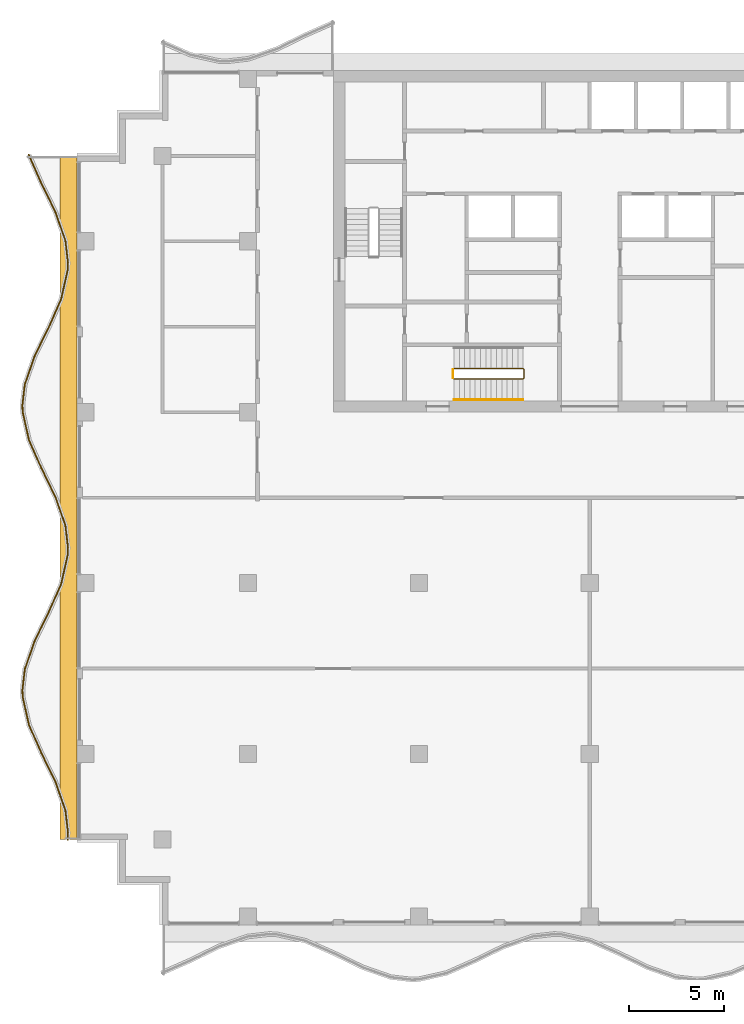
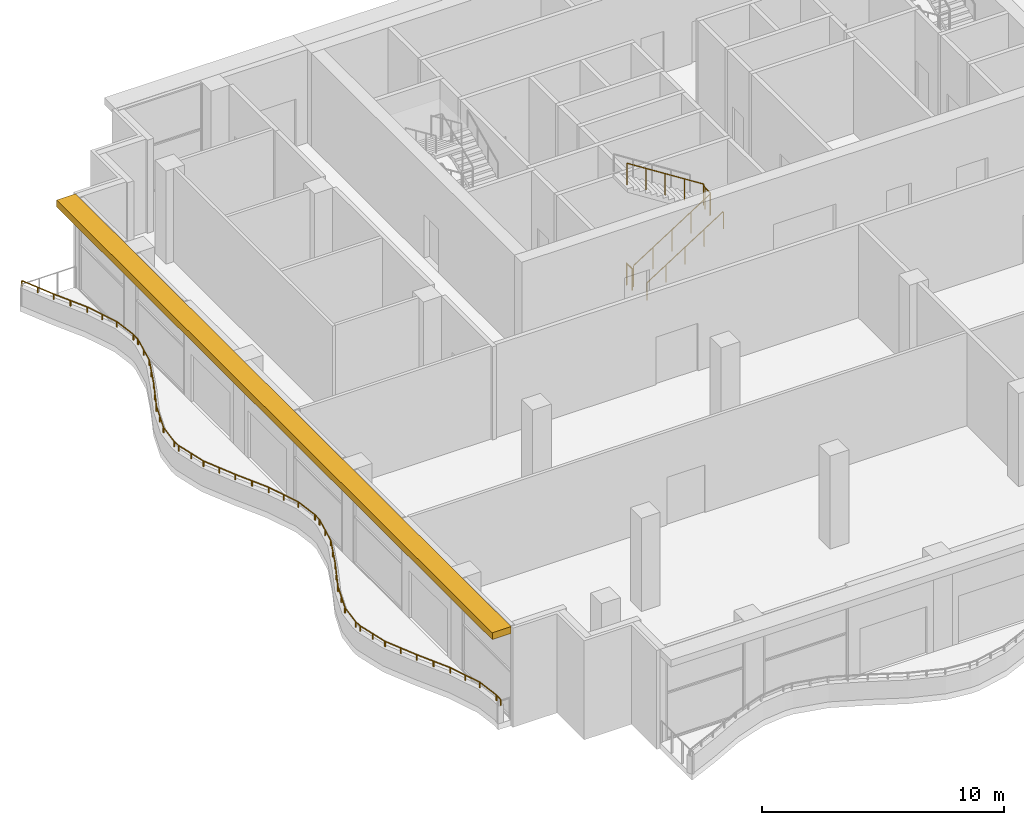
# One storey, part 12 of 14: 4 railings, 1 shading device.
"""IFC4 building model written with IfcOpenShell, lengths in metres."""

from ifc_helpers import new_model, si_unit, direction, frame, origin, origin_2d, place, context, subcontext, project, spatial, polyline, rectangle, circle, outline, extrude, material, layer, layer_set, type_object, element, save


model = new_model("IFC4")

# Units and contexts
model_context = context("Model", 3, precision=1e-05, world=origin(), true_north=direction((0.0, 1.0)))
body_context = subcontext(model_context, "Body", "Model", "MODEL_VIEW")
ifc_project = project(units=[si_unit("LENGTHUNIT", "METRE"), si_unit("AREAUNIT", "SQUARE_METRE"), si_unit("VOLUMEUNIT", "CUBIC_METRE"), si_unit("PLANEANGLEUNIT", "RADIAN"), si_unit("MASSUNIT", "GRAM", prefix="KILO")], contexts=[model_context])

# Site, building, storey
site_placement = place(None, origin())
site = spatial("IfcSite", under=ifc_project, at=site_placement, CompositionType="ELEMENT")
building_placement = place(site_placement, origin())
building = spatial("IfcBuilding", under=site, at=building_placement, Name="Orbiselva Terraces", CompositionType="ELEMENT")
storey_placement = place(building_placement, frame((0.0, 0.0, 284.4)))
storey = spatial("IfcBuildingStorey", under=building, at=storey_placement, Name="L72", CompositionType="ELEMENT", Elevation=284.4)

# Railings
ifc_material_1 = material(Name="Stainless steel", Category="steel")
railing_type_1 = type_object("IfcRailingType", Name="CORE-GUARD-1100", PredefinedType="GUARDRAIL", material=ifc_material_1)
railing_1_placement = place(storey_placement, frame((-7.15, 6.25, 0.178571)))
element("IfcRailing", 1, at=railing_1_placement, inside=storey, type_object=railing_type_1, Name="L72 S3 stair guard 1", PredefinedType="GUARDRAIL", context=body_context, shape_type="SweptSolid", body=[
    extrude(circle(Radius=0.024, at=origin_2d()), frame((0.0, 0.0, 1.081), z_axis=(0.843129645223, 0.0, 0.537710332192), x_axis=(0.0, 1.0, 0.0)), (0.0, 0.0, 1.0), 4.317248),
    extrude(circle(Radius=0.024, at=origin_2d()), frame((3.64, 0.0, 3.402429), z_axis=(0.707106781187, 0.707106781187, 0.0), x_axis=(-0.707106781187, 0.707106781187, 0.0)), (0.0, 0.0, 1.0), 0.070711),
    extrude(circle(Radius=0.024, at=origin_2d()), frame((3.69, 0.05, 3.402429), z_axis=(0.0, 1.0, 0.0), x_axis=(-1.0, 0.0, 0.0)), (0.0, 0.0, 1.0), 0.45),
    extrude(circle(Radius=0.024, at=origin_2d()), frame((3.69, 0.5, 3.402429), z_axis=(-0.260333341267, 0.260333341267, 0.92975970167), x_axis=(-0.707106781187, -0.707106781187, 0.0)), (0.0, 0.0, 1.0), 0.192061),
    extrude(circle(Radius=0.024, at=origin_2d()), frame((3.64, 0.55, 3.581), z_axis=(-0.843129645223, 0.0, 0.537710332192), x_axis=(0.0, -1.0, 0.0)), (0.0, 0.0, 1.0), 4.317248),
    extrude(circle(Radius=0.021, at=origin_2d()), origin(), (0.0, 0.0, 1.0), 1.057),
    extrude(circle(Radius=0.021, at=origin_2d()), frame((0.91, 0.0, 0.580357)), (0.0, 0.0, 1.0), 1.057),
    extrude(circle(Radius=0.021, at=origin_2d()), frame((1.82, 0.0, 1.160714)), (0.0, 0.0, 1.0), 1.057),
    extrude(circle(Radius=0.021, at=origin_2d()), frame((2.73, 0.0, 1.741072)), (0.0, 0.0, 1.0), 1.057),
    extrude(circle(Radius=0.021, at=origin_2d()), frame((3.64, 0.0, 2.321429)), (0.0, 0.0, 1.0), 1.057),
    extrude(circle(Radius=0.021, at=origin_2d()), frame((3.69, 0.05, 2.321429)), (0.0, 0.0, 1.0), 1.057),
    extrude(circle(Radius=0.021, at=origin_2d()), frame((3.69, 0.5, 2.321429)), (0.0, 0.0, 1.0), 1.057),
    extrude(circle(Radius=0.021, at=origin_2d()), frame((3.64, 0.55, 2.5)), (0.0, 0.0, 1.0), 1.057),
    extrude(circle(Radius=0.021, at=origin_2d()), frame((2.73, 0.55, 3.080357)), (0.0, 0.0, 1.0), 1.057),
    extrude(circle(Radius=0.021, at=origin_2d()), frame((1.82, 0.55, 3.660714)), (0.0, 0.0, 1.0), 1.057),
    extrude(circle(Radius=0.021, at=origin_2d()), frame((0.91, 0.55, 4.241072)), (0.0, 0.0, 1.0), 1.057),
    extrude(circle(Radius=0.021, at=origin_2d()), frame((0.0, 0.55, 4.821429)), (0.0, 0.0, 1.0), 1.057),
])
railing_2_placement = place(storey_placement, frame((-7.2, 6.3, 0.0)))
element("IfcRailing", 2, at=railing_2_placement, inside=storey, type_object=railing_type_1, Name="L72 S3 stair guard 2", PredefinedType="GUARDRAIL", context=body_context, shape_type="SweptSolid", body=[
    extrude(circle(Radius=0.024, at=origin_2d()), frame((0.0, 0.0, 1.081), z_axis=(0.0, 1.0, 0.0), x_axis=(-1.0, 0.0, 0.0)), (0.0, 0.0, 1.0), 0.45),
    extrude(circle(Radius=0.021, at=origin_2d()), origin(), (0.0, 0.0, 1.0), 1.057),
    extrude(circle(Radius=0.021, at=origin_2d()), frame((0.0, 0.45, 0.0)), (0.0, 0.0, 1.0), 1.057),
])
railing_type_2 = type_object("IfcRailingType", Name="CORE-HANDRAIL-900", PredefinedType="HANDRAIL", material=ifc_material_1)
railing_3_placement = place(storey_placement, frame((-7.15, 5.15, 0.178571)))
element("IfcRailing", 3, at=railing_3_placement, inside=storey, type_object=railing_type_2, Name="L72 S3 stair handrail 1", PredefinedType="HANDRAIL", context=body_context, shape_type="SweptSolid", body=[
    extrude(circle(Radius=0.024, at=origin_2d()), frame((0.0, 0.0, 0.876), z_axis=(0.843129645223, 0.0, 0.537710332192), x_axis=(0.0, 1.0, 0.0)), (0.0, 0.0, 1.0), 4.317248),
    extrude(circle(Radius=0.021, at=origin_2d()), origin(), (0.0, 0.0, 1.0), 0.852),
    extrude(circle(Radius=0.021, at=origin_2d()), frame((0.91, 0.0, 0.580357)), (0.0, 0.0, 1.0), 0.852),
    extrude(circle(Radius=0.021, at=origin_2d()), frame((1.82, 0.0, 1.160714)), (0.0, 0.0, 1.0), 0.852),
    extrude(circle(Radius=0.021, at=origin_2d()), frame((2.73, 0.0, 1.741072)), (0.0, 0.0, 1.0), 0.852),
    extrude(circle(Radius=0.021, at=origin_2d()), frame((3.64, 0.0, 2.321429)), (0.0, 0.0, 1.0), 0.852),
])
ifc_material_2 = material(Name="Bonded two-ply safety glass balustrade, stainless steel posts", Category="steel")
railing_type_3 = type_object("IfcRailingType", Name="ENV-BALUSTRADE-1200", PredefinedType="BALUSTRADE", material=ifc_material_2)
railing_4_placement = place(storey_placement, frame((-29.534136, 18.050394, 0.9)))
element("IfcRailing", 4, at=railing_4_placement, inside=storey, type_object=railing_type_3, Name="Balcony balustrade L72 W", PredefinedType="BALUSTRADE", context=body_context, shape_type="SweptSolid", body=[
    extrude(outline(polyline([(0.028868, 0.0), (0.014434, 0.025), (-0.014434, 0.025), (-0.028868, 0.0), (-0.014434, -0.025), (0.014434, -0.025), (0.028868, 0.0)])), frame((0.0, 0.0, 0.275), z_axis=(0.403150940408, -0.915133498047, 0.0), x_axis=(0.915133498047, 0.403150940408, 0.0)), (0.0, 0.0, 1.0), 1.636648),
    extrude(outline(polyline([(0.028868, 0.0), (0.014434, 0.025), (-0.014434, 0.025), (-0.028868, 0.0), (-0.014434, -0.025), (0.014434, -0.025), (0.028868, 0.0)])), frame((0.659816, -1.497751, 0.275), z_axis=(0.438812048596, -0.898578870221, 0.0), x_axis=(0.898578870221, 0.438812048596, 0.0)), (0.0, 0.0, 1.0), 1.674225),
    extrude(outline(polyline([(0.028868, 0.0), (0.014434, 0.025), (-0.014434, 0.025), (-0.028868, 0.0), (-0.014434, -0.025), (0.014434, -0.025), (0.028868, 0.0)])), frame((1.394486, -3.002174, 0.275), z_axis=(0.330024597479, -0.943972332783, 0.0), x_axis=(0.943972332783, 0.330024597479, 0.0)), (0.0, 0.0, 1.0), 1.610253),
    extrude(outline(polyline([(0.028868, 0.0), (0.014434, 0.025), (-0.014434, 0.025), (-0.028868, 0.0), (-0.014434, -0.025), (0.014434, -0.025), (0.028868, 0.0)])), frame((1.925909, -4.522208, 0.275), z_axis=(0.115482182324, -0.993309551734, 0.0), x_axis=(0.993309551734, 0.115482182324, 0.0)), (0.0, 0.0, 1.0), 1.156135),
    extrude(outline(polyline([(0.028868, 0.0), (0.014434, 0.025), (-0.014434, 0.025), (-0.028868, 0.0), (-0.014434, -0.025), (0.014434, -0.025), (0.028868, 0.0)])), frame((2.059422, -5.670608, 0.275), z_axis=(-0.03936915532, -0.999224734286, 0.0), x_axis=(0.999224734286, -0.03936915532, 0.0)), (0.0, 0.0, 1.0), 0.396376),
    extrude(outline(polyline([(0.028868, 0.0), (0.014434, 0.025), (-0.014434, 0.025), (-0.028868, 0.0), (-0.014434, -0.025), (0.014434, -0.025), (0.028868, 0.0)])), frame((2.043817, -6.066677, 0.275), z_axis=(-0.219015500924, -0.97572137947, 0.0), x_axis=(0.97572137947, -0.219015500924, 0.0)), (0.0, 0.0, 1.0), 1.560867),
    extrude(outline(polyline([(0.028868, 0.0), (0.014434, 0.025), (-0.014434, 0.025), (-0.028868, 0.0), (-0.014434, -0.025), (0.014434, -0.025), (0.028868, 0.0)])), frame((1.701963, -7.589648, 0.275), z_axis=(-0.403150874148, -0.915133527237, 0.0), x_axis=(0.915133527237, -0.403150874148, 0.0)), (0.0, 0.0, 1.0), 1.653736),
    extrude(outline(polyline([(0.028868, 0.0), (0.014434, 0.025), (-0.014434, 0.025), (-0.028868, 0.0), (-0.014434, -0.025), (0.014434, -0.025), (0.028868, 0.0)])), frame((1.035258, -9.103037, 0.275), z_axis=(-0.438811978768, -0.89857890432, 0.0), x_axis=(0.89857890432, -0.438811978768, 0.0)), (0.0, 0.0, 1.0), 1.66438),
    extrude(outline(polyline([(0.028868, 0.0), (0.014434, 0.025), (-0.014434, 0.025), (-0.028868, 0.0), (-0.014434, -0.025), (0.014434, -0.025), (0.028868, 0.0)])), frame((0.304908, -10.598614, 0.275), z_axis=(-0.330024754707, -0.943972277814, 0.0), x_axis=(0.943972277814, -0.330024754707, 0.0)), (0.0, 0.0, 1.0), 1.567807),
    extrude(outline(polyline([(0.028868, 0.0), (0.014434, 0.025), (-0.014434, 0.025), (-0.028868, 0.0), (-0.014434, -0.025), (0.014434, -0.025), (0.028868, 0.0)])), frame((-0.212507, -12.07858, 0.275), z_axis=(-0.115481264762, -0.993309658409, 0.0), x_axis=(0.993309658409, -0.115481264762, 0.0)), (0.0, 0.0, 1.0), 1.10902),
    extrude(outline(polyline([(0.028868, 0.0), (0.014434, 0.025), (-0.014434, 0.025), (-0.028868, 0.0), (-0.014434, -0.025), (0.014434, -0.025), (0.028868, 0.0)])), frame((-0.340578, -13.18018, 0.275), z_axis=(0.039364150694, -0.999224931454, 0.0), x_axis=(0.999224931454, 0.039364150694, 0.0)), (0.0, 0.0, 1.0), 0.354206),
    extrude(outline(polyline([(0.028868, 0.0), (0.014434, 0.025), (-0.014434, 0.025), (-0.028868, 0.0), (-0.014434, -0.025), (0.014434, -0.025), (0.028868, 0.0)])), frame((-0.326635, -13.534111, 0.275), z_axis=(0.219015740235, -0.975721325753, 0.0), x_axis=(0.975721325753, 0.219015740235, 0.0)), (0.0, 0.0, 1.0), 1.513782),
    extrude(outline(polyline([(0.028868, 0.0), (0.014434, 0.025), (-0.014434, 0.025), (-0.028868, 0.0), (-0.014434, -0.025), (0.014434, -0.025), (0.028868, 0.0)])), frame((0.004907, -15.01114, 0.275), z_axis=(0.403151245402, -0.915133363686, 0.0), x_axis=(0.915133363686, 0.403151245402, 0.0)), (0.0, 0.0, 1.0), 1.624475),
    extrude(outline(polyline([(0.028868, 0.0), (0.014434, 0.025), (-0.014434, 0.025), (-0.028868, 0.0), (-0.014434, -0.025), (0.014434, -0.025), (0.028868, 0.0)])), frame((0.659816, -16.497751, 0.275), z_axis=(0.438812048596, -0.898578870221, 0.0), x_axis=(0.898578870221, 0.438812048596, 0.0)), (0.0, 0.0, 1.0), 1.674225),
    extrude(outline(polyline([(0.028868, 0.0), (0.014434, 0.025), (-0.014434, 0.025), (-0.028868, 0.0), (-0.014434, -0.025), (0.014434, -0.025), (0.028868, 0.0)])), frame((1.394486, -18.002174, 0.275), z_axis=(0.330024597479, -0.943972332783, 0.0), x_axis=(0.943972332783, 0.330024597479, 0.0)), (0.0, 0.0, 1.0), 1.610253),
    extrude(outline(polyline([(0.028868, 0.0), (0.014434, 0.025), (-0.014434, 0.025), (-0.028868, 0.0), (-0.014434, -0.025), (0.014434, -0.025), (0.028868, 0.0)])), frame((1.925909, -19.522208, 0.275), z_axis=(0.115482182324, -0.993309551734, 0.0), x_axis=(0.993309551734, 0.115482182324, 0.0)), (0.0, 0.0, 1.0), 1.156135),
    extrude(outline(polyline([(0.028868, 0.0), (0.014434, 0.025), (-0.014434, 0.025), (-0.028868, 0.0), (-0.014434, -0.025), (0.014434, -0.025), (0.028868, 0.0)])), frame((2.059422, -20.670608, 0.275), z_axis=(-0.03936915532, -0.999224734286, 0.0), x_axis=(0.999224734286, -0.03936915532, 0.0)), (0.0, 0.0, 1.0), 0.396376),
    extrude(outline(polyline([(0.028868, 0.0), (0.014434, 0.025), (-0.014434, 0.025), (-0.028868, 0.0), (-0.014434, -0.025), (0.014434, -0.025), (0.028868, 0.0)])), frame((2.043817, -21.066677, 0.275), z_axis=(-0.219015500924, -0.97572137947, 0.0), x_axis=(0.97572137947, -0.219015500924, 0.0)), (0.0, 0.0, 1.0), 1.560867),
    extrude(outline(polyline([(0.028868, 0.0), (0.014434, 0.025), (-0.014434, 0.025), (-0.028868, 0.0), (-0.014434, -0.025), (0.014434, -0.025), (0.028868, 0.0)])), frame((1.701963, -22.589648, 0.275), z_axis=(-0.403150874148, -0.915133527237, 0.0), x_axis=(0.915133527237, -0.403150874148, 0.0)), (0.0, 0.0, 1.0), 1.653736),
    extrude(outline(polyline([(0.028868, 0.0), (0.014434, 0.025), (-0.014434, 0.025), (-0.028868, 0.0), (-0.014434, -0.025), (0.014434, -0.025), (0.028868, 0.0)])), frame((1.035258, -24.103037, 0.275), z_axis=(-0.438811978768, -0.89857890432, 0.0), x_axis=(0.89857890432, -0.438811978768, 0.0)), (0.0, 0.0, 1.0), 1.66438),
    extrude(outline(polyline([(0.028868, 0.0), (0.014434, 0.025), (-0.014434, 0.025), (-0.028868, 0.0), (-0.014434, -0.025), (0.014434, -0.025), (0.028868, 0.0)])), frame((0.304908, -25.598614, 0.275), z_axis=(-0.330024754707, -0.943972277814, 0.0), x_axis=(0.943972277814, -0.330024754707, 0.0)), (0.0, 0.0, 1.0), 1.567807),
    extrude(outline(polyline([(0.028868, 0.0), (0.014434, 0.025), (-0.014434, 0.025), (-0.028868, 0.0), (-0.014434, -0.025), (0.014434, -0.025), (0.028868, 0.0)])), frame((-0.212507, -27.07858, 0.275), z_axis=(-0.115481264762, -0.993309658409, 0.0), x_axis=(0.993309658409, -0.115481264762, 0.0)), (0.0, 0.0, 1.0), 1.10902),
    extrude(outline(polyline([(0.028868, 0.0), (0.014434, 0.025), (-0.014434, 0.025), (-0.028868, 0.0), (-0.014434, -0.025), (0.014434, -0.025), (0.028868, 0.0)])), frame((-0.340578, -28.18018, 0.275), z_axis=(0.039364150694, -0.999224931454, 0.0), x_axis=(0.999224931454, 0.039364150694, 0.0)), (0.0, 0.0, 1.0), 0.354206),
    extrude(outline(polyline([(0.028868, 0.0), (0.014434, 0.025), (-0.014434, 0.025), (-0.028868, 0.0), (-0.014434, -0.025), (0.014434, -0.025), (0.028868, 0.0)])), frame((-0.326635, -28.534111, 0.275), z_axis=(0.219015740235, -0.975721325753, 0.0), x_axis=(0.975721325753, 0.219015740235, 0.0)), (0.0, 0.0, 1.0), 1.513782),
    extrude(outline(polyline([(0.028868, 0.0), (0.014434, 0.025), (-0.014434, 0.025), (-0.028868, 0.0), (-0.014434, -0.025), (0.014434, -0.025), (0.028868, 0.0)])), frame((0.004907, -30.01114, 0.275), z_axis=(0.403151245402, -0.915133363686, 0.0), x_axis=(0.915133363686, 0.403151245402, 0.0)), (0.0, 0.0, 1.0), 1.624475),
    extrude(outline(polyline([(0.028868, 0.0), (0.014434, 0.025), (-0.014434, 0.025), (-0.028868, 0.0), (-0.014434, -0.025), (0.014434, -0.025), (0.028868, 0.0)])), frame((0.659816, -31.497751, 0.275), z_axis=(0.438812048596, -0.898578870221, 0.0), x_axis=(0.898578870221, 0.438812048596, 0.0)), (0.0, 0.0, 1.0), 1.674225),
    extrude(outline(polyline([(0.028868, 0.0), (0.014434, 0.025), (-0.014434, 0.025), (-0.028868, 0.0), (-0.014434, -0.025), (0.014434, -0.025), (0.028868, 0.0)])), frame((1.394486, -33.002174, 0.275), z_axis=(0.330024597479, -0.943972332783, 0.0), x_axis=(0.943972332783, 0.330024597479, 0.0)), (0.0, 0.0, 1.0), 1.610253),
    extrude(outline(polyline([(0.028868, 0.0), (0.014434, 0.025), (-0.014434, 0.025), (-0.028868, 0.0), (-0.014434, -0.025), (0.014434, -0.025), (0.028868, 0.0)])), frame((1.925909, -34.522208, 0.275), z_axis=(0.115482182324, -0.993309551734, 0.0), x_axis=(0.993309551734, 0.115482182324, 0.0)), (0.0, 0.0, 1.0), 1.156135),
    extrude(outline(polyline([(0.028868, 0.0), (0.014434, 0.025), (-0.014434, 0.025), (-0.028868, 0.0), (-0.014434, -0.025), (0.014434, -0.025), (0.028868, 0.0)])), frame((2.059422, -35.670608, 0.275), z_axis=(-0.039368272023, -0.999224769087, 0.0), x_axis=(0.999224769087, -0.039368272023, 0.0)), (0.0, 0.0, 1.0), 0.385005),
    extrude(rectangle(XDim=0.05, YDim=0.05, at=origin_2d()), origin(), (0.0, 0.0, 1.0), 0.25),
    extrude(rectangle(XDim=0.05, YDim=0.05, at=origin_2d()), frame((0.329908, -0.748876, 0.0)), (0.0, 0.0, 1.0), 0.25),
    extrude(rectangle(XDim=0.05, YDim=0.05, at=origin_2d()), frame((0.659816, -1.497751, 0.0)), (0.0, 0.0, 1.0), 0.25),
    extrude(rectangle(XDim=0.05, YDim=0.05, at=origin_2d()), frame((1.027151, -2.249963, 0.0)), (0.0, 0.0, 1.0), 0.25),
    extrude(rectangle(XDim=0.05, YDim=0.05, at=origin_2d()), frame((1.394486, -3.002174, 0.0)), (0.0, 0.0, 1.0), 0.25),
    extrude(rectangle(XDim=0.05, YDim=0.05, at=origin_2d()), frame((1.660198, -3.762191, 0.0)), (0.0, 0.0, 1.0), 0.25),
    extrude(rectangle(XDim=0.05, YDim=0.05, at=origin_2d()), frame((1.925909, -4.522208, 0.0)), (0.0, 0.0, 1.0), 0.25),
    extrude(rectangle(XDim=0.05, YDim=0.05, at=origin_2d()), frame((2.059422, -5.670608, 0.0)), (0.0, 0.0, 1.0), 0.25),
    extrude(rectangle(XDim=0.05, YDim=0.05, at=origin_2d()), frame((2.043817, -6.066677, 0.0)), (0.0, 0.0, 1.0), 0.25),
    extrude(rectangle(XDim=0.05, YDim=0.05, at=origin_2d()), frame((1.87289, -6.828162, 0.0)), (0.0, 0.0, 1.0), 0.25),
    extrude(rectangle(XDim=0.05, YDim=0.05, at=origin_2d()), frame((1.701963, -7.589648, 0.0)), (0.0, 0.0, 1.0), 0.25),
    extrude(rectangle(XDim=0.05, YDim=0.05, at=origin_2d()), frame((1.36861, -8.346342, 0.0)), (0.0, 0.0, 1.0), 0.25),
    extrude(rectangle(XDim=0.05, YDim=0.05, at=origin_2d()), frame((1.035258, -9.103037, 0.0)), (0.0, 0.0, 1.0), 0.25),
    extrude(rectangle(XDim=0.05, YDim=0.05, at=origin_2d()), frame((0.670083, -9.850826, 0.0)), (0.0, 0.0, 1.0), 0.25),
    extrude(rectangle(XDim=0.05, YDim=0.05, at=origin_2d()), frame((0.304908, -10.598614, 0.0)), (0.0, 0.0, 1.0), 0.25),
    extrude(rectangle(XDim=0.05, YDim=0.05, at=origin_2d()), frame((0.046201, -11.338597, 0.0)), (0.0, 0.0, 1.0), 0.25),
    extrude(rectangle(XDim=0.05, YDim=0.05, at=origin_2d()), frame((-0.212507, -12.07858, 0.0)), (0.0, 0.0, 1.0), 0.25),
    extrude(rectangle(XDim=0.05, YDim=0.05, at=origin_2d()), frame((-0.340578, -13.18018, 0.0)), (0.0, 0.0, 1.0), 0.25),
    extrude(rectangle(XDim=0.05, YDim=0.05, at=origin_2d()), frame((-0.326635, -13.534111, 0.0)), (0.0, 0.0, 1.0), 0.25),
    extrude(rectangle(XDim=0.05, YDim=0.05, at=origin_2d()), frame((-0.160864, -14.272626, 0.0)), (0.0, 0.0, 1.0), 0.25),
    extrude(rectangle(XDim=0.05, YDim=0.05, at=origin_2d()), frame((0.004907, -15.01114, 0.0)), (0.0, 0.0, 1.0), 0.25),
    extrude(rectangle(XDim=0.05, YDim=0.05, at=origin_2d()), frame((0.332361, -15.754446, 0.0)), (0.0, 0.0, 1.0), 0.25),
    extrude(rectangle(XDim=0.05, YDim=0.05, at=origin_2d()), frame((0.659816, -16.497751, 0.0)), (0.0, 0.0, 1.0), 0.25),
    extrude(rectangle(XDim=0.05, YDim=0.05, at=origin_2d()), frame((1.027151, -17.249963, 0.0)), (0.0, 0.0, 1.0), 0.25),
    extrude(rectangle(XDim=0.05, YDim=0.05, at=origin_2d()), frame((1.394486, -18.002174, 0.0)), (0.0, 0.0, 1.0), 0.25),
    extrude(rectangle(XDim=0.05, YDim=0.05, at=origin_2d()), frame((1.660198, -18.762191, 0.0)), (0.0, 0.0, 1.0), 0.25),
    extrude(rectangle(XDim=0.05, YDim=0.05, at=origin_2d()), frame((1.925909, -19.522208, 0.0)), (0.0, 0.0, 1.0), 0.25),
    extrude(rectangle(XDim=0.05, YDim=0.05, at=origin_2d()), frame((2.059422, -20.670608, 0.0)), (0.0, 0.0, 1.0), 0.25),
    extrude(rectangle(XDim=0.05, YDim=0.05, at=origin_2d()), frame((2.043817, -21.066677, 0.0)), (0.0, 0.0, 1.0), 0.25),
    extrude(rectangle(XDim=0.05, YDim=0.05, at=origin_2d()), frame((1.87289, -21.828162, 0.0)), (0.0, 0.0, 1.0), 0.25),
    extrude(rectangle(XDim=0.05, YDim=0.05, at=origin_2d()), frame((1.701963, -22.589648, 0.0)), (0.0, 0.0, 1.0), 0.25),
    extrude(rectangle(XDim=0.05, YDim=0.05, at=origin_2d()), frame((1.36861, -23.346342, 0.0)), (0.0, 0.0, 1.0), 0.25),
    extrude(rectangle(XDim=0.05, YDim=0.05, at=origin_2d()), frame((1.035258, -24.103037, 0.0)), (0.0, 0.0, 1.0), 0.25),
    extrude(rectangle(XDim=0.05, YDim=0.05, at=origin_2d()), frame((0.670083, -24.850826, 0.0)), (0.0, 0.0, 1.0), 0.25),
    extrude(rectangle(XDim=0.05, YDim=0.05, at=origin_2d()), frame((0.304908, -25.598614, 0.0)), (0.0, 0.0, 1.0), 0.25),
    extrude(rectangle(XDim=0.05, YDim=0.05, at=origin_2d()), frame((0.046201, -26.338597, 0.0)), (0.0, 0.0, 1.0), 0.25),
    extrude(rectangle(XDim=0.05, YDim=0.05, at=origin_2d()), frame((-0.212507, -27.07858, 0.0)), (0.0, 0.0, 1.0), 0.25),
    extrude(rectangle(XDim=0.05, YDim=0.05, at=origin_2d()), frame((-0.340578, -28.18018, 0.0)), (0.0, 0.0, 1.0), 0.25),
    extrude(rectangle(XDim=0.05, YDim=0.05, at=origin_2d()), frame((-0.326635, -28.534111, 0.0)), (0.0, 0.0, 1.0), 0.25),
    extrude(rectangle(XDim=0.05, YDim=0.05, at=origin_2d()), frame((-0.160864, -29.272626, 0.0)), (0.0, 0.0, 1.0), 0.25),
    extrude(rectangle(XDim=0.05, YDim=0.05, at=origin_2d()), frame((0.004907, -30.01114, 0.0)), (0.0, 0.0, 1.0), 0.25),
    extrude(rectangle(XDim=0.05, YDim=0.05, at=origin_2d()), frame((0.332361, -30.754446, 0.0)), (0.0, 0.0, 1.0), 0.25),
    extrude(rectangle(XDim=0.05, YDim=0.05, at=origin_2d()), frame((0.659816, -31.497751, 0.0)), (0.0, 0.0, 1.0), 0.25),
    extrude(rectangle(XDim=0.05, YDim=0.05, at=origin_2d()), frame((1.027151, -32.249962, 0.0)), (0.0, 0.0, 1.0), 0.25),
    extrude(rectangle(XDim=0.05, YDim=0.05, at=origin_2d()), frame((1.394486, -33.002174, 0.0)), (0.0, 0.0, 1.0), 0.25),
    extrude(rectangle(XDim=0.05, YDim=0.05, at=origin_2d()), frame((1.660198, -33.762191, 0.0)), (0.0, 0.0, 1.0), 0.25),
    extrude(rectangle(XDim=0.05, YDim=0.05, at=origin_2d()), frame((1.925909, -34.522208, 0.0)), (0.0, 0.0, 1.0), 0.25),
    extrude(rectangle(XDim=0.05, YDim=0.05, at=origin_2d()), frame((2.059422, -35.670608, 0.0)), (0.0, 0.0, 1.0), 0.25),
    extrude(rectangle(XDim=0.05, YDim=0.05, at=origin_2d()), frame((2.044265, -36.055315, 0.0)), (0.0, 0.0, 1.0), 0.25),
])

# Shading device
ifc_material_3 = material(Name="Terracotta baguette sunshade", Category="masonry")
ifc_layer = layer(ifc_material_3, 0.35)
ifc_layer_set = layer_set([ifc_layer], Name="Terracotta baguette sunshade")
shading_device_type = type_object("IfcShadingDeviceType", Name="ENV-SUNSHADE-900x350", PredefinedType="USERDEFINED", material=ifc_layer_set)
shading_device_placement = place(storey_placement, frame((0.0, 0.0, 4.35)))
element("IfcShadingDevice", 5, at=shading_device_placement, inside=storey, type_object=shading_device_type, Name="Sunshade band L72 W", ObjectType="SUNSHADE", PredefinedType="USERDEFINED", context=body_context, shape_type="SweptSolid", body=[
    extrude(outline(polyline([(-27.9, 18.0), (-27.9, -18.0), (-27.0, -18.0), (-27.0, 18.0), (-27.9, 18.0)])), origin(), (0.0, 0.0, 1.0), 0.35),
])

save(model, "model.ifc")
